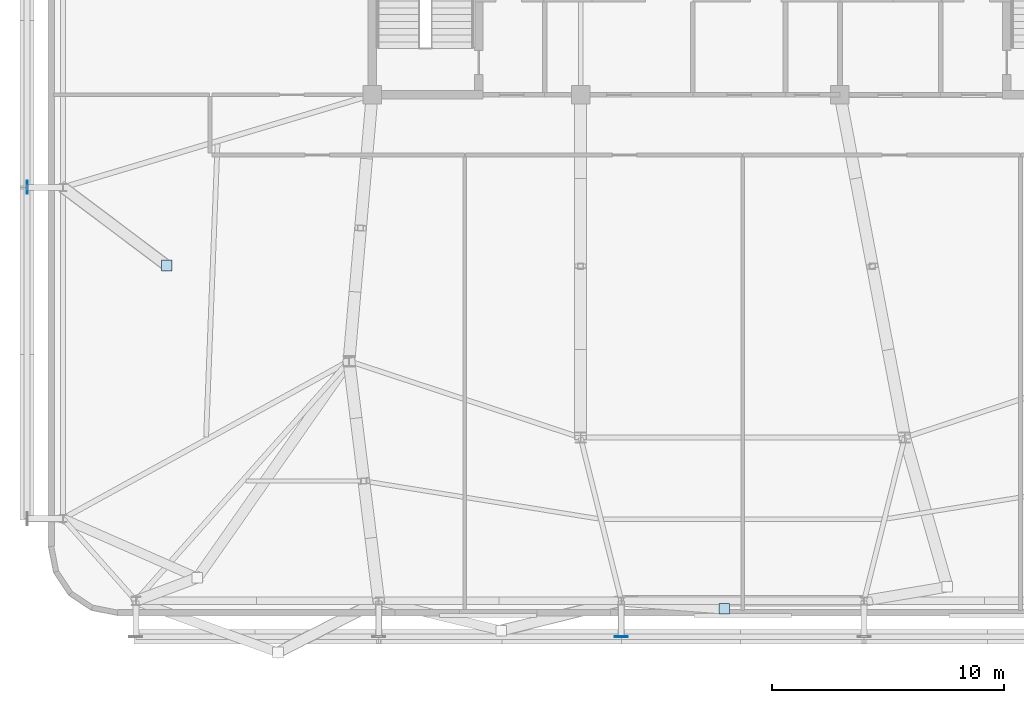
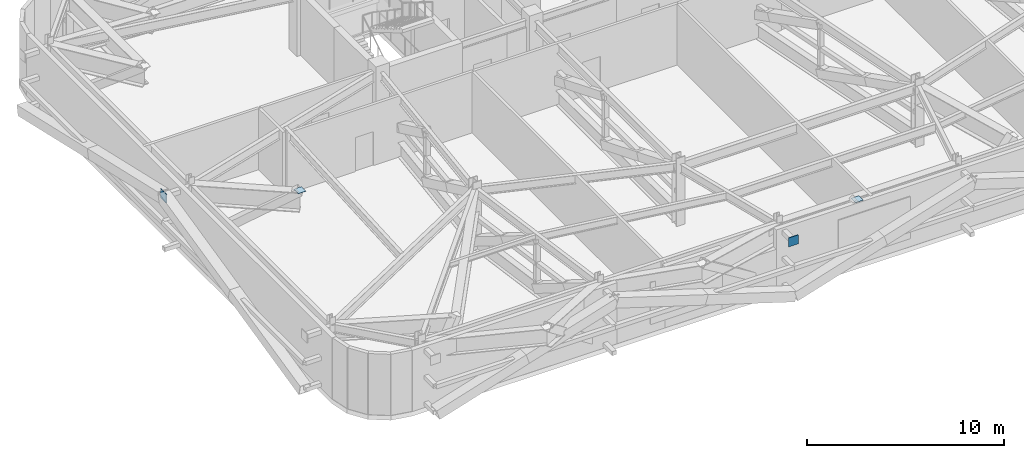
# One storey, part 14 of 24: 4 plates.
"""IFC4 building model written with IfcOpenShell, lengths in metres."""

from ifc_helpers import new_model, si_unit, direction, frame, origin, origin_2d, place, context, subcontext, project, spatial, rectangle, extrude, source, transform, mapped, material, layer, layer_set, type_object, element, save


model = new_model("IFC4")

# Units and contexts
model_context = context("Model", 3, precision=1e-05, world=origin(), true_north=direction((0.0, 1.0)))
body_context = subcontext(model_context, "Body", "Model", "MODEL_VIEW")
ifc_project = project(units=[si_unit("LENGTHUNIT", "METRE"), si_unit("AREAUNIT", "SQUARE_METRE"), si_unit("VOLUMEUNIT", "CUBIC_METRE"), si_unit("PLANEANGLEUNIT", "RADIAN"), si_unit("MASSUNIT", "GRAM", prefix="KILO")], contexts=[model_context])

# Site, building, storey
site_placement = place(None, origin())
site = spatial("IfcSite", under=ifc_project, at=site_placement, CompositionType="ELEMENT")
building_placement = place(site_placement, origin())
building = spatial("IfcBuilding", under=site, at=building_placement, Name="Taldren Reach Tower", CompositionType="ELEMENT")
storey_placement = place(building_placement, frame((0.0, 0.0, 60.89990234375)))
storey = spatial("IfcBuildingStorey", under=building, at=storey_placement, Name="L18", CompositionType="ELEMENT", Elevation=60.89990234375)

# Plates
ifc_material = material(Name="Steel Gr 450 (C450L0)", Category="steel")
ifc_layer_1 = layer(ifc_material, 0.0400390625)
ifc_layer_set_1 = layer_set([ifc_layer_1], Name="Steel Gr 450 (C450L0)")
plate_type_1 = type_object("IfcPlateType", Name="PL-GUSSET-40", PredefinedType="SHEET", material=ifc_layer_set_1)
shared_shape_1 = source(origin(), body_context, "Body", "SweptSolid", [
    extrude(rectangle(XDim=0.56005859375, YDim=0.0400390625, at=origin_2d()), origin(), (0.0, 0.0, 1.0), 0.56005859375),
])
for number, where, z_axis, x_axis, name in (
    (1, (29.760009765625, 0.60009765625, 3.219970703125), (0.0, 0.0, 1.0), (1.0, 0.0, 0.0), "Exoskeleton star-node gusset plate B1-S3 L18"),
    (2, (4.10009765625, 20.0, 3.219970703125), (0.0, 0.0, 1.0), (0.0, 1.0, 0.0), "Exoskeleton star-node gusset plate B1-W2 L18"),
):
    element("IfcPlate", number, at=place(storey_placement, frame(where, z_axis=z_axis, x_axis=x_axis)), inside=storey, type_object=plate_type_1, Name=name, PredefinedType="SHEET", context=body_context, shape_type="MappedRepresentation", body=[
        mapped(shared_shape_1, transform((0.0, 0.0, 0.0), scale=1.0)),
    ])
ifc_layer_2 = layer(ifc_material, 0.011962890625)
ifc_layer_set_2 = layer_set([ifc_layer_2], Name="Steel Gr 450 (C450L0)")
plate_type_2 = type_object("IfcPlateType", Name="PL-CAP-460", PredefinedType="SHEET", material=ifc_layer_set_2)
shared_shape_2 = source(origin(), body_context, "Body", "SweptSolid", [
    extrude(rectangle(XDim=0.4599609375, YDim=0.4599609375, at=origin_2d()), origin(), (0.0, 0.0, 1.0), 0.011962890625),
])
for number, where, z_axis, x_axis, name in (
    (3, (34.20166015625, 1.809326171875, 3.76806640625), (0.0, 0.0, 1.0), (1.0, 0.0, 0.0), "Transfer strut end cap plate TS-B2-S3 L18"),
    (4, (10.130615234375, 16.631103515625, 3.76806640625), (0.0, 0.0, 1.0), (1.0, 0.0, 0.0), "Transfer strut end cap plate TS-B2-W2 L18"),
):
    element("IfcPlate", number, at=place(storey_placement, frame(where, z_axis=z_axis, x_axis=x_axis)), inside=storey, type_object=plate_type_2, Name=name, PredefinedType="SHEET", context=body_context, shape_type="MappedRepresentation", body=[
        mapped(shared_shape_2, transform((0.0, 0.0, 0.0), scale=1.0)),
    ])

save(model, "model.ifc")
